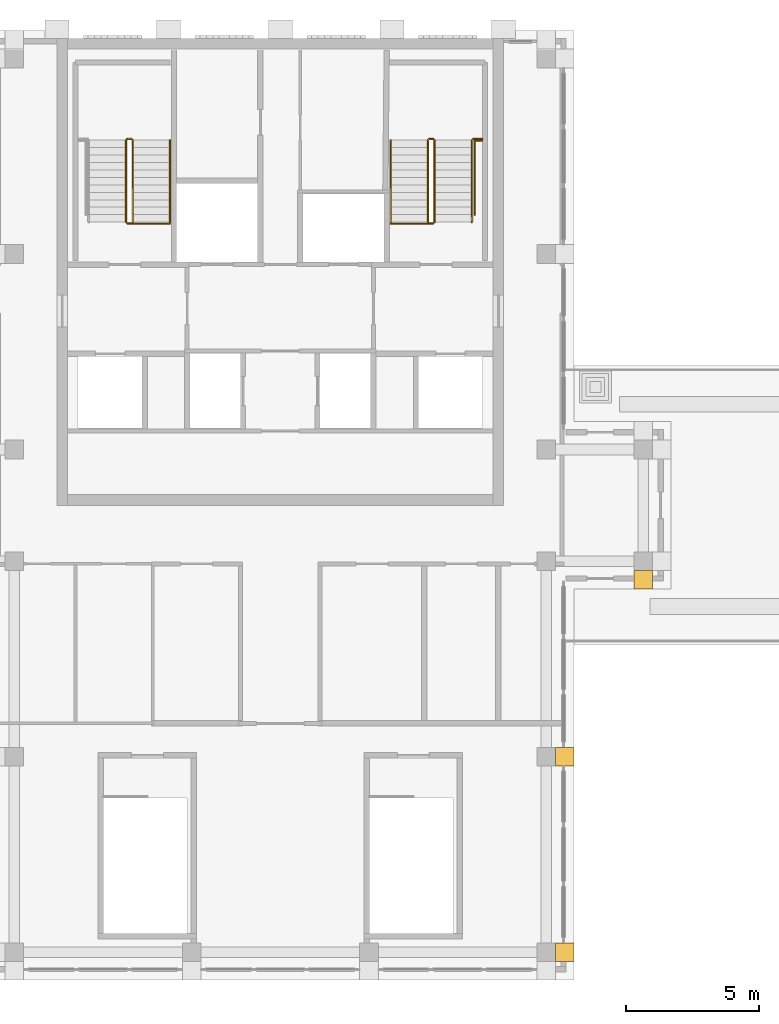
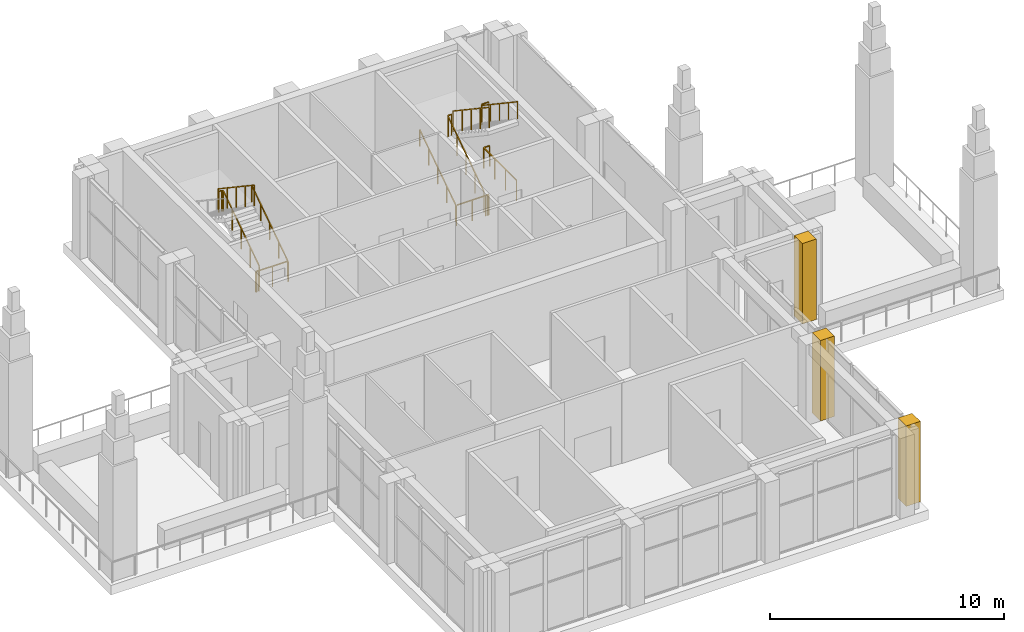
# One storey, part 11 of 12: 13 railings, 3 coverings.
"""IFC4 building model written with IfcOpenShell, lengths in metres."""

from ifc_helpers import new_model, si_unit, direction, frame, origin, origin_2d, place, context, subcontext, project, spatial, polyline, rectangle, outline, extrude, material, type_object, element, save


model = new_model("IFC4")

# Units and contexts
model_context = context("Model", 3, precision=1e-05, world=origin(), true_north=direction((0.0, 1.0)))
body_context = subcontext(model_context, "Body", "Model", "MODEL_VIEW")
ifc_project = project(units=[si_unit("LENGTHUNIT", "METRE"), si_unit("AREAUNIT", "SQUARE_METRE"), si_unit("VOLUMEUNIT", "CUBIC_METRE"), si_unit("PLANEANGLEUNIT", "RADIAN"), si_unit("MASSUNIT", "GRAM", prefix="KILO")], contexts=[model_context])

# Site, building, storey
site_placement = place(None, origin())
site = spatial("IfcSite", under=ifc_project, at=site_placement, CompositionType="ELEMENT")
building_placement = place(site_placement, origin())
building = spatial("IfcBuilding", under=site, at=building_placement, Name="Vermilion Ogive Tower", CompositionType="ELEMENT")
storey_placement = place(building_placement, frame((0.0, 0.0, 298.35009765625)))
storey = spatial("IfcBuildingStorey", under=building, at=storey_placement, Name="L77", CompositionType="ELEMENT", Elevation=298.35009765625)

# Railings
ifc_material_1 = material(Name="Steel S355 painted", Category="steel")
railing_type_1 = type_object("IfcRailingType", Name="Stair guard 1100", PredefinedType="GUARDRAIL", material=ifc_material_1)
railing_1_placement = place(storey_placement, frame((-5.550048828125, 14.85009765625, 0.1875)))
element("IfcRailing", 1, at=railing_1_placement, inside=storey, type_object=railing_type_1, Name="L77 ST1 stair guard 1", PredefinedType="GUARDRAIL", context=body_context, shape_type="SweptSolid", body=[
    extrude(rectangle(XDim=0.048095703125, YDim=0.048095703125, at=origin_2d()), frame((0.0, 0.0, 1.076171875), z_axis=(0.0, 0.830893310487, 0.556431762742), x_axis=(-1.0, 0.0, 0.0)), (0.0, 0.0, 1.0), 3.70654296875),
    extrude(rectangle(XDim=0.048095703125, YDim=0.048095703125, at=origin_2d()), frame((0.0, 3.079833984375, 3.138671875), z_axis=(-0.707106781187, 0.707106781187, 0.0), x_axis=(-0.707106781187, -0.707106781187, 0.0)), (0.0, 0.0, 1.0), 0.07080078125),
    extrude(rectangle(XDim=0.048095703125, YDim=0.048095703125, at=origin_2d()), frame((-0.050048828125, 3.1298828125, 3.138671875), z_axis=(-1.0, 0.0, 0.0), x_axis=(0.0, -1.0, 0.0)), (0.0, 0.0, 1.0), 0.14990234375),
    extrude(rectangle(XDim=0.0419921875, YDim=0.0419921875, at=origin_2d()), origin(), (0.0, 0.0, 1.0), 1.052001953125),
    extrude(rectangle(XDim=0.0419921875, YDim=0.0419921875, at=origin_2d()), frame((0.0, 0.77001953125, 0.515625)), (0.0, 0.0, 1.0), 1.052001953125),
    extrude(rectangle(XDim=0.0419921875, YDim=0.0419921875, at=origin_2d()), frame((0.0, 1.5400390625, 1.03125)), (0.0, 0.0, 1.0), 1.052001953125),
    extrude(rectangle(XDim=0.0419921875, YDim=0.0419921875, at=origin_2d()), frame((0.0, 2.309814453125, 1.546875)), (0.0, 0.0, 1.0), 1.052001953125),
    extrude(rectangle(XDim=0.0419921875, YDim=0.0419921875, at=origin_2d()), frame((0.0, 3.079833984375, 2.0625)), (0.0, 0.0, 1.0), 1.052001953125),
    extrude(rectangle(XDim=0.0419921875, YDim=0.0419921875, at=origin_2d()), frame((-0.050048828125, 3.1298828125, 2.0625)), (0.0, 0.0, 1.0), 1.052001953125),
    extrude(rectangle(XDim=0.0419921875, YDim=0.0419921875, at=origin_2d()), frame((-0.199951171875, 3.1298828125, 2.0625)), (0.0, 0.0, 1.0), 1.052001953125),
])
railing_2_placement = place(storey_placement, frame((-5.800048828125, 17.929931640625, 2.4375)))
element("IfcRailing", 2, at=railing_2_placement, inside=storey, type_object=railing_type_1, Name="L77 ST1 stair guard 3", PredefinedType="GUARDRAIL", context=body_context, shape_type="SweptSolid", body=[
    extrude(rectangle(XDim=0.048095703125, YDim=0.048095703125, at=origin_2d()), frame((0.0, 0.0, 1.076171875), z_axis=(0.0, -0.830893310487, 0.556431762742), x_axis=(1.0, 0.0, 0.0)), (0.0, 0.0, 1.0), 3.70654296875),
    extrude(rectangle(XDim=0.0419921875, YDim=0.0419921875, at=origin_2d()), origin(), (0.0, 0.0, 1.0), 1.052001953125),
    extrude(rectangle(XDim=0.0419921875, YDim=0.0419921875, at=origin_2d()), frame((0.0, -0.77001953125, 0.515625)), (0.0, 0.0, 1.0), 1.052001953125),
    extrude(rectangle(XDim=0.0419921875, YDim=0.0419921875, at=origin_2d()), frame((0.0, -1.5400390625, 1.03125)), (0.0, 0.0, 1.0), 1.052001953125),
    extrude(rectangle(XDim=0.0419921875, YDim=0.0419921875, at=origin_2d()), frame((0.0, -2.309814453125, 1.546875)), (0.0, 0.0, 1.0), 1.052001953125),
    extrude(rectangle(XDim=0.0419921875, YDim=0.0419921875, at=origin_2d()), frame((0.0, -3.079833984375, 2.0625)), (0.0, 0.0, 1.0), 1.052001953125),
])
railing_3_placement = place(storey_placement, frame((-5.60009765625, 14.800048828125, 0.0)))
element("IfcRailing", 3, at=railing_3_placement, inside=storey, type_object=railing_type_1, Name="L77 ST1 stair guard 4", PredefinedType="GUARDRAIL", context=body_context, shape_type="SweptSolid", body=[
    extrude(rectangle(XDim=0.048095703125, YDim=0.048095703125, at=origin_2d()), frame((0.0, 0.0, 1.076171875), z_axis=(-1.0, 0.0, 0.0), x_axis=(0.0, -1.0, 0.0)), (0.0, 0.0, 1.0), 0.14990234375),
    extrude(rectangle(XDim=0.0419921875, YDim=0.0419921875, at=origin_2d()), origin(), (0.0, 0.0, 1.0), 1.052001953125),
    extrude(rectangle(XDim=0.0419921875, YDim=0.0419921875, at=origin_2d()), frame((-0.14990234375, 0.0, 0.0)), (0.0, 0.0, 1.0), 1.052001953125),
])
railing_4_placement = place(storey_placement, frame((5.550048828125, 14.85009765625, 0.1875)))
element("IfcRailing", 4, at=railing_4_placement, inside=storey, type_object=railing_type_1, Name="L77 ST2 stair guard 1", PredefinedType="GUARDRAIL", context=body_context, shape_type="SweptSolid", body=[
    extrude(rectangle(XDim=0.048095703125, YDim=0.048095703125, at=origin_2d()), frame((0.0, 0.0, 1.076171875), z_axis=(0.0, 0.830893310487, 0.556431762742), x_axis=(-1.0, 0.0, 0.0)), (0.0, 0.0, 1.0), 3.70654296875),
    extrude(rectangle(XDim=0.048095703125, YDim=0.048095703125, at=origin_2d()), frame((0.0, 3.079833984375, 3.138671875), z_axis=(0.707106781187, 0.707106781187, 0.0), x_axis=(-0.707106781187, 0.707106781187, 0.0)), (0.0, 0.0, 1.0), 0.07080078125),
    extrude(rectangle(XDim=0.048095703125, YDim=0.048095703125, at=origin_2d()), frame((0.050048828125, 3.1298828125, 3.138671875), z_axis=(1.0, 0.0, 0.0), x_axis=(0.0, 1.0, 0.0)), (0.0, 0.0, 1.0), 0.14990234375),
    extrude(rectangle(XDim=0.0419921875, YDim=0.0419921875, at=origin_2d()), origin(), (0.0, 0.0, 1.0), 1.052001953125),
    extrude(rectangle(XDim=0.0419921875, YDim=0.0419921875, at=origin_2d()), frame((0.0, 0.77001953125, 0.515625)), (0.0, 0.0, 1.0), 1.052001953125),
    extrude(rectangle(XDim=0.0419921875, YDim=0.0419921875, at=origin_2d()), frame((0.0, 1.5400390625, 1.03125)), (0.0, 0.0, 1.0), 1.052001953125),
    extrude(rectangle(XDim=0.0419921875, YDim=0.0419921875, at=origin_2d()), frame((0.0, 2.309814453125, 1.546875)), (0.0, 0.0, 1.0), 1.052001953125),
    extrude(rectangle(XDim=0.0419921875, YDim=0.0419921875, at=origin_2d()), frame((0.0, 3.079833984375, 2.0625)), (0.0, 0.0, 1.0), 1.052001953125),
    extrude(rectangle(XDim=0.0419921875, YDim=0.0419921875, at=origin_2d()), frame((0.050048828125, 3.1298828125, 2.0625)), (0.0, 0.0, 1.0), 1.052001953125),
    extrude(rectangle(XDim=0.0419921875, YDim=0.0419921875, at=origin_2d()), frame((0.199951171875, 3.1298828125, 2.0625)), (0.0, 0.0, 1.0), 1.052001953125),
])
railing_5_placement = place(storey_placement, frame((5.800048828125, 17.929931640625, 2.4375)))
element("IfcRailing", 5, at=railing_5_placement, inside=storey, type_object=railing_type_1, Name="L77 ST2 stair guard 3", PredefinedType="GUARDRAIL", context=body_context, shape_type="SweptSolid", body=[
    extrude(rectangle(XDim=0.048095703125, YDim=0.048095703125, at=origin_2d()), frame((0.0, 0.0, 1.076171875), z_axis=(0.0, -0.830893310487, 0.556431762742), x_axis=(1.0, 0.0, 0.0)), (0.0, 0.0, 1.0), 3.70654296875),
    extrude(rectangle(XDim=0.0419921875, YDim=0.0419921875, at=origin_2d()), origin(), (0.0, 0.0, 1.0), 1.052001953125),
    extrude(rectangle(XDim=0.0419921875, YDim=0.0419921875, at=origin_2d()), frame((0.0, -0.77001953125, 0.515625)), (0.0, 0.0, 1.0), 1.052001953125),
    extrude(rectangle(XDim=0.0419921875, YDim=0.0419921875, at=origin_2d()), frame((0.0, -1.5400390625, 1.03125)), (0.0, 0.0, 1.0), 1.052001953125),
    extrude(rectangle(XDim=0.0419921875, YDim=0.0419921875, at=origin_2d()), frame((0.0, -2.309814453125, 1.546875)), (0.0, 0.0, 1.0), 1.052001953125),
    extrude(rectangle(XDim=0.0419921875, YDim=0.0419921875, at=origin_2d()), frame((0.0, -3.079833984375, 2.0625)), (0.0, 0.0, 1.0), 1.052001953125),
])
railing_6_placement = place(storey_placement, frame((5.60009765625, 14.800048828125, 0.0)))
element("IfcRailing", 6, at=railing_6_placement, inside=storey, type_object=railing_type_1, Name="L77 ST2 stair guard 4", PredefinedType="GUARDRAIL", context=body_context, shape_type="SweptSolid", body=[
    extrude(rectangle(XDim=0.048095703125, YDim=0.048095703125, at=origin_2d()), frame((0.0, 0.0, 1.076171875), z_axis=(1.0, 0.0, 0.0), x_axis=(0.0, 1.0, 0.0)), (0.0, 0.0, 1.0), 0.14990234375),
    extrude(rectangle(XDim=0.0419921875, YDim=0.0419921875, at=origin_2d()), origin(), (0.0, 0.0, 1.0), 1.052001953125),
    extrude(rectangle(XDim=0.0419921875, YDim=0.0419921875, at=origin_2d()), frame((0.14990234375, 0.0, 0.0)), (0.0, 0.0, 1.0), 1.052001953125),
])
railing_7_placement = place(storey_placement, frame((7.25, 17.97998046875, 2.25)))
element("IfcRailing", 7, at=railing_7_placement, inside=storey, type_object=railing_type_1, Name="L77 landing guard", PredefinedType="GUARDRAIL", context=body_context, shape_type="SweptSolid", body=[
    extrude(rectangle(XDim=0.048095703125, YDim=0.048095703125, at=origin_2d()), frame((0.0, 0.0, 1.076171875), z_axis=(1.0, 0.0, 0.0), x_axis=(0.0, 1.0, 0.0)), (0.0, 0.0, 1.0), 0.35009765625),
    extrude(rectangle(XDim=0.0419921875, YDim=0.0419921875, at=origin_2d()), origin(), (0.0, 0.0, 1.0), 1.052001953125),
    extrude(rectangle(XDim=0.0419921875, YDim=0.0419921875, at=origin_2d()), frame((0.35009765625, 0.0, 0.0)), (0.0, 0.0, 1.0), 1.052001953125),
])
railing_8_placement = place(storey_placement, frame((-4.159912109375, 14.7900390625, 0.0)))
element("IfcRailing", 8, at=railing_8_placement, inside=storey, type_object=railing_type_1, Name="L77 stair opening guard", PredefinedType="GUARDRAIL", context=body_context, shape_type="SweptSolid", body=[
    extrude(rectangle(XDim=0.048095703125, YDim=0.048095703125, at=origin_2d()), frame((0.0, 0.0, 1.076171875), z_axis=(-1.0, 0.0, 0.0), x_axis=(0.0, -1.0, 0.0)), (0.0, 0.0, 1.0), 1.5400390625),
    extrude(rectangle(XDim=0.0419921875, YDim=0.0419921875, at=origin_2d()), origin(), (0.0, 0.0, 1.0), 1.052001953125),
    extrude(rectangle(XDim=0.0419921875, YDim=0.0419921875, at=origin_2d()), frame((-0.77001953125, 0.0, 0.0)), (0.0, 0.0, 1.0), 1.052001953125),
    extrude(rectangle(XDim=0.0419921875, YDim=0.0419921875, at=origin_2d()), frame((-1.5400390625, 0.0, 0.0)), (0.0, 0.0, 1.0), 1.052001953125),
])
railing_9_placement = place(storey_placement, frame((7.599609375, 17.923828125, 0.0)))
element("IfcRailing", 9, at=railing_9_placement, inside=storey, type_object=railing_type_1, Name="L77 stair opening guard", PredefinedType="GUARDRAIL", context=body_context, shape_type="SweptSolid", body=[
    extrude(rectangle(XDim=0.048095703125, YDim=0.048095703125, at=origin_2d()), frame((0.0, 0.0, 1.076171875), z_axis=(-1.0, 0.0, 0.0), x_axis=(0.0, -1.0, 0.0)), (0.0, 0.0, 1.0), 0.289794921875),
    extrude(rectangle(XDim=0.048095703125, YDim=0.048095703125, at=origin_2d()), frame((-0.289794921875, 0.0, 1.076171875), z_axis=(0.0, -1.0, 0.0), x_axis=(1.0, 0.0, 0.0)), (0.0, 0.0, 1.0), 2.804443359375),
    extrude(rectangle(XDim=0.0419921875, YDim=0.0419921875, at=origin_2d()), origin(), (0.0, 0.0, 1.0), 1.052001953125),
    extrude(rectangle(XDim=0.0419921875, YDim=0.0419921875, at=origin_2d()), frame((-0.289794921875, 0.0, 0.0)), (0.0, 0.0, 1.0), 1.052001953125),
    extrude(rectangle(XDim=0.0419921875, YDim=0.0419921875, at=origin_2d()), frame((-0.289794921875, -0.934814453125, 0.0)), (0.0, 0.0, 1.0), 1.052001953125),
    extrude(rectangle(XDim=0.0419921875, YDim=0.0419921875, at=origin_2d()), frame((-0.289794921875, -1.86962890625, 0.0)), (0.0, 0.0, 1.0), 1.052001953125),
    extrude(rectangle(XDim=0.0419921875, YDim=0.0419921875, at=origin_2d()), frame((-0.289794921875, -2.804443359375, 0.0)), (0.0, 0.0, 1.0), 1.052001953125),
])
railing_10_placement = place(storey_placement, frame((5.699951171875, 14.7900390625, 0.0)))
element("IfcRailing", 10, at=railing_10_placement, inside=storey, type_object=railing_type_1, Name="L77 stair opening guard", PredefinedType="GUARDRAIL", context=body_context, shape_type="SweptSolid", body=[
    extrude(rectangle(XDim=0.048095703125, YDim=0.048095703125, at=origin_2d()), frame((0.0, 0.0, 1.076171875), z_axis=(-1.0, 0.0, 0.0), x_axis=(0.0, -1.0, 0.0)), (0.0, 0.0, 1.0), 1.5400390625),
    extrude(rectangle(XDim=0.0419921875, YDim=0.0419921875, at=origin_2d()), origin(), (0.0, 0.0, 1.0), 1.052001953125),
    extrude(rectangle(XDim=0.0419921875, YDim=0.0419921875, at=origin_2d()), frame((-0.77001953125, 0.0, 0.0)), (0.0, 0.0, 1.0), 1.052001953125),
    extrude(rectangle(XDim=0.0419921875, YDim=0.0419921875, at=origin_2d()), frame((-1.5400390625, 0.0, 0.0)), (0.0, 0.0, 1.0), 1.052001953125),
])
ifc_material_2 = material(Name="Stainless steel", Category="steel")
railing_type_2 = type_object("IfcRailingType", Name="Stair handrail 900", PredefinedType="HANDRAIL", material=ifc_material_2)
for number, where, name in (
    (11, (-4.14990234375, 14.85009765625, 0.1875), "L77 ST1 stair handrail 1"),
    (12, (4.14990234375, 14.85009765625, 0.1875), "L77 ST2 stair handrail 1"),
):
    element("IfcRailing", number, at=place(storey_placement, frame(where)), inside=storey, type_object=railing_type_2, Name=name, PredefinedType="HANDRAIL", context=body_context, shape_type="SweptSolid", body=[
        extrude(rectangle(XDim=0.048095703125, YDim=0.048095703125, at=origin_2d()), frame((0.0, 0.0, 0.8759765625), z_axis=(0.0, 0.830893310487, 0.556431762742), x_axis=(-1.0, 0.0, 0.0)), (0.0, 0.0, 1.0), 3.70654296875),
        extrude(rectangle(XDim=0.0419921875, YDim=0.0419921875, at=origin_2d()), origin(), (0.0, 0.0, 1.0), 0.851806640625),
        extrude(rectangle(XDim=0.0419921875, YDim=0.0419921875, at=origin_2d()), frame((0.0, 0.77001953125, 0.515625)), (0.0, 0.0, 1.0), 0.851806640625),
        extrude(rectangle(XDim=0.0419921875, YDim=0.0419921875, at=origin_2d()), frame((0.0, 1.5400390625, 1.03125)), (0.0, 0.0, 1.0), 0.851806640625),
        extrude(rectangle(XDim=0.0419921875, YDim=0.0419921875, at=origin_2d()), frame((0.0, 2.309814453125, 1.546875)), (0.0, 0.0, 1.0), 0.851806640625),
        extrude(rectangle(XDim=0.0419921875, YDim=0.0419921875, at=origin_2d()), frame((0.0, 3.079833984375, 2.0625)), (0.0, 0.0, 1.0), 0.851806640625),
    ])
railing_11_placement = place(storey_placement, frame((7.199951171875, 17.929931640625, 2.4375)))
element("IfcRailing", 13, at=railing_11_placement, inside=storey, type_object=railing_type_2, Name="L77 ST2 stair handrail 2", PredefinedType="HANDRAIL", context=body_context, shape_type="SweptSolid", body=[
    extrude(rectangle(XDim=0.048095703125, YDim=0.048095703125, at=origin_2d()), frame((0.0, 0.0, 0.8759765625), z_axis=(0.0, -0.830893310487, 0.556431762742), x_axis=(1.0, 0.0, 0.0)), (0.0, 0.0, 1.0), 3.70654296875),
    extrude(rectangle(XDim=0.0419921875, YDim=0.0419921875, at=origin_2d()), origin(), (0.0, 0.0, 1.0), 0.851806640625),
    extrude(rectangle(XDim=0.0419921875, YDim=0.0419921875, at=origin_2d()), frame((0.0, -0.77001953125, 0.515625)), (0.0, 0.0, 1.0), 0.851806640625),
    extrude(rectangle(XDim=0.0419921875, YDim=0.0419921875, at=origin_2d()), frame((0.0, -1.5400390625, 1.03125)), (0.0, 0.0, 1.0), 0.851806640625),
    extrude(rectangle(XDim=0.0419921875, YDim=0.0419921875, at=origin_2d()), frame((0.0, -2.309814453125, 1.546875)), (0.0, 0.0, 1.0), 0.851806640625),
    extrude(rectangle(XDim=0.0419921875, YDim=0.0419921875, at=origin_2d()), frame((0.0, -3.079833984375, 2.0625)), (0.0, 0.0, 1.0), 0.851806640625),
])

# Coverings
ifc_material_3 = material(Name="Stone cladding", Category="masonry")
covering_type = type_object("IfcCoveringType", Name="Stone pier", PredefinedType="CLADDING", material=ifc_material_3)
covering_1_placement = place(storey_placement, origin())
element("IfcCovering", 14, at=covering_1_placement, inside=storey, type_object=covering_type, Name="Stone pier P+0100-052", PredefinedType="CLADDING", context=body_context, shape_type="SweptSolid", body=[
    extrude(outline(polyline([(11.050048828125, -4.89990234375), (11.050048828125, -5.60009765625), (10.35009765625, -5.60009765625), (10.35009765625, -4.89990234375), (11.050048828125, -4.89990234375)])), origin(), (0.0, 0.0, 1.0), 4.199951171875),
])
covering_2_placement = place(storey_placement, origin())
element("IfcCovering", 15, at=covering_2_placement, inside=storey, type_object=covering_type, Name="Stone pier P+0100-126X1", PredefinedType="CLADDING", context=body_context, shape_type="SweptSolid", body=[
    extrude(outline(polyline([(11.050048828125, -12.949951171875), (10.35009765625, -12.949951171875), (10.35009765625, -12.949951171875), (10.35009765625, -12.25), (11.050048828125, -12.25), (11.050048828125, -12.949951171875)])), origin(), (0.0, 0.0, 1.0), 4.199951171875),
])
covering_3_placement = place(storey_placement, origin())
element("IfcCovering", 16, at=covering_3_placement, inside=storey, type_object=covering_type, Name="Stone pier P+0136+021X2", PredefinedType="CLADDING", context=body_context, shape_type="SweptSolid", body=[
    extrude(outline(polyline([(14.0, 1.75), (14.0, 1.050048828125), (13.300048828125, 1.050048828125), (13.300048828125, 1.75), (14.0, 1.75), (14.0, 1.75)])), origin(), (0.0, 0.0, 1.0), 4.199951171875),
])

save(model, "model.ifc")
